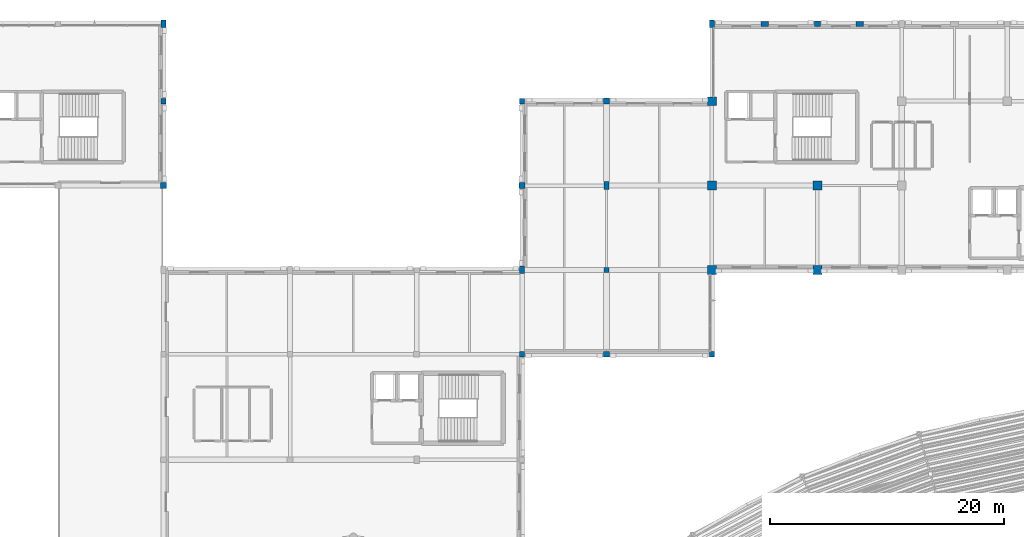
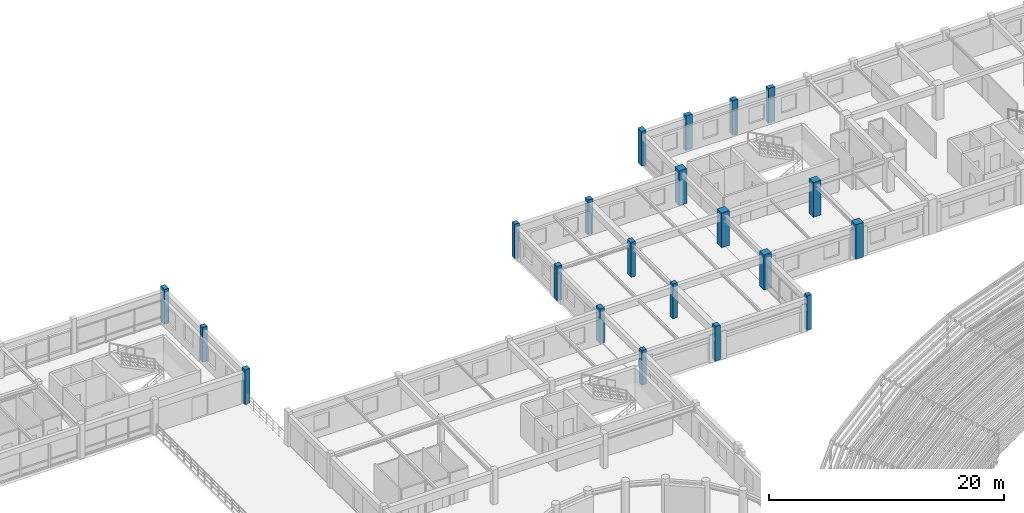
# One storey, part 12 of 74: 21 columns.
"""IFC4 building model written with IfcOpenShell, lengths in metres."""

from ifc_helpers import new_model, si_unit, direction, frame, origin, origin_2d, place, context, subcontext, project, spatial, rectangle, extrude, material, material_profile, profile_set, type_object, element, save


model = new_model("IFC4")

# Units and contexts
model_context = context("Model", 3, precision=1e-05, world=origin(), true_north=direction((0.0, 1.0)))
body_context = subcontext(model_context, "Body", "Model", "MODEL_VIEW")
ifc_project = project(units=[si_unit("LENGTHUNIT", "METRE"), si_unit("AREAUNIT", "SQUARE_METRE"), si_unit("VOLUMEUNIT", "CUBIC_METRE"), si_unit("PLANEANGLEUNIT", "RADIAN"), si_unit("MASSUNIT", "GRAM", prefix="KILO")], contexts=[model_context])

# Site, building, storey
site_placement = place(None, origin())
site = spatial("IfcSite", under=ifc_project, at=site_placement, CompositionType="ELEMENT")
building_placement = place(site_placement, origin())
building = spatial("IfcBuilding", under=site, at=building_placement, Name="Clarverna Civic Hall", CompositionType="ELEMENT")
storey_placement = place(building_placement, frame((0.0, 0.0, 13.199951171875)))
storey = spatial("IfcBuildingStorey", under=building, at=storey_placement, Name="L03", CompositionType="ELEMENT", Elevation=13.199951171875)

# Columns
ifc_material_1 = material(Name="Precast concrete C40/50", Category="concrete")
ifc_material_profile_1 = material_profile(ifc_material_1, rectangle(XDim=0.64990234375, YDim=0.419921875, at=origin_2d()), Name="PILASTER 650x420")
ifc_profile_set_1 = profile_set([ifc_material_profile_1], Name="Precast concrete C40/50")
column_type_1 = type_object("IfcColumnType", Name="C-PL1", PredefinedType="PILASTER", material=ifc_profile_set_1)
for number, where, z_axis, x_axis, name in (
    (1, (117.89990234375, 116.0, 0.0), (0.0, 0.0, 1.0), (1.0, 0.0, 0.0), "C-PL1-005"),
    (2, (126.0, 116.0, 0.0), (0.0, 0.0, 1.0), (1.0, 0.0, 0.0), "C-PL1-012"),
):
    element("IfcColumn", number, at=place(storey_placement, frame(where, z_axis=z_axis, x_axis=x_axis)), inside=storey, type_object=column_type_1, Name=name, PredefinedType="PILASTER", context=body_context, shape_type="SweptSolid", body=[
        extrude(rectangle(XDim=0.64990234375, YDim=0.419921875, at=origin_2d()), origin(), (0.0, 0.0, 1.0), 3.60009765625),
    ])
ifc_material_2 = material(Name="Concrete C35/45", Category="concrete")
ifc_material_profile_2 = material_profile(ifc_material_2, rectangle(XDim=0.5, YDim=0.5, at=origin_2d()), Name="RC 500x500")
ifc_profile_set_2 = profile_set([ifc_material_profile_2], Name="Concrete C35/45")
column_type_2 = type_object("IfcColumnType", Name="C-RC12", PredefinedType="COLUMN", material=ifc_profile_set_2)
for number, where, z_axis, x_axis, name in (
    (3, (66.60009765625, 102.199951171875, 0.0), (0.0, 0.0, 1.0), (1.0, 0.0, 0.0), "C-RC12-016"),
    (4, (97.199951171875, 102.199951171875, 0.0), (0.0, 0.0, 1.0), (1.0, 0.0, 0.0), "C-RC12-020"),
    (5, (104.39990234375, 87.800048828125, 0.0), (0.0, 0.0, 1.0), (1.0, 0.0, 0.0), "C-RC12-021"),
    (6, (104.39990234375, 109.39990234375, 0.0), (0.0, 0.0, 1.0), (1.0, 0.0, 0.0), "C-RC12-022"),
    (7, (122.39990234375, 116.0, 0.0), (0.0, 0.0, 1.0), (1.0, 0.0, 0.0), "C-RC12-023"),
):
    element("IfcColumn", number, at=place(storey_placement, frame(where, z_axis=z_axis, x_axis=x_axis)), inside=storey, type_object=column_type_2, Name=name, PredefinedType="COLUMN", context=body_context, shape_type="SweptSolid", body=[
        extrude(rectangle(XDim=0.5, YDim=0.5, at=origin_2d()), origin(), (0.0, 0.0, 1.0), 3.60009765625),
    ])
ifc_material_profile_3 = material_profile(ifc_material_2, rectangle(XDim=0.449951171875, YDim=0.449951171875, at=origin_2d()), Name="RC 450x450")
ifc_profile_set_3 = profile_set([ifc_material_profile_3], Name="Concrete C35/45")
column_type_3 = type_object("IfcColumnType", Name="C-RC13", PredefinedType="COLUMN", material=ifc_profile_set_3)
for number, where, z_axis, x_axis, name in (
    (8, (66.60009765625, 109.39990234375, 0.0), (0.0, 0.0, 1.0), (1.0, 0.0, 0.0), "C-RC13-016"),
    (9, (97.199951171875, 87.800048828125, 0.0), (0.0, 0.0, 1.0), (1.0, 0.0, 0.0), "C-RC13-022"),
    (10, (97.199951171875, 109.39990234375, 0.0), (0.0, 0.0, 1.0), (1.0, 0.0, 0.0), "C-RC13-024"),
    (11, (104.39990234375, 95.0, 0.0), (0.0, 0.0, 1.0), (1.0, 0.0, 0.0), "C-RC13-026"),
    (12, (113.39990234375, 87.800048828125, 0.0), (0.0, 0.0, 1.0), (1.0, 0.0, 0.0), "C-RC13-028"),
):
    element("IfcColumn", number, at=place(storey_placement, frame(where, z_axis=z_axis, x_axis=x_axis)), inside=storey, type_object=column_type_3, Name=name, PredefinedType="COLUMN", context=body_context, shape_type="SweptSolid", body=[
        extrude(rectangle(XDim=0.449951171875, YDim=0.449951171875, at=origin_2d()), origin(), (0.0, 0.0, 1.0), 3.60009765625),
    ])
ifc_material_profile_4 = material_profile(ifc_material_2, rectangle(XDim=0.449951171875, YDim=0.64990234375, at=origin_2d()), Name="RC 450x650")
ifc_profile_set_4 = profile_set([ifc_material_profile_4], Name="Concrete C35/45")
column_type_4 = type_object("IfcColumnType", Name="C-RC18", PredefinedType="COLUMN", material=ifc_profile_set_4)
for number, where, z_axis, x_axis, name in (
    (13, (66.60009765625, 116.0, 0.0), (0.0, 0.0, 1.0), (1.0, 0.0, 0.0), "C-RC18-016"),
    (14, (97.199951171875, 95.0, 0.0), (0.0, 0.0, 1.0), (1.0, 0.0, 0.0), "C-RC18-020"),
    (15, (104.39990234375, 102.199951171875, 0.0), (0.0, 0.0, 1.0), (1.0, 0.0, 0.0), "C-RC18-021"),
    (16, (113.39990234375, 116.0, 0.0), (0.0, 0.0, 1.0), (1.0, 0.0, 0.0), "C-RC18-022"),
):
    element("IfcColumn", number, at=place(storey_placement, frame(where, z_axis=z_axis, x_axis=x_axis)), inside=storey, type_object=column_type_4, Name=name, PredefinedType="COLUMN", context=body_context, shape_type="SweptSolid", body=[
        extrude(rectangle(XDim=0.449951171875, YDim=0.64990234375, at=origin_2d()), origin(), (0.0, 0.0, 1.0), 3.60009765625),
    ])
ifc_material_3 = material(Name="Concrete C40/50", Category="concrete")
ifc_material_profile_5 = material_profile(ifc_material_3, rectangle(XDim=0.75, YDim=0.75, at=origin_2d()), Name="RC 750x750")
ifc_profile_set_5 = profile_set([ifc_material_profile_5], Name="Concrete C40/50")
column_type_5 = type_object("IfcColumnType", Name="C-RC5", PredefinedType="COLUMN", material=ifc_profile_set_5)
for number, where, z_axis, x_axis, name in (
    (17, (113.39990234375, 95.0, 0.0), (0.0, 0.0, 1.0), (1.0, 0.0, 0.0), "C-RC5-053"),
    (18, (113.39990234375, 102.199951171875, 0.0), (0.0, 0.0, 1.0), (1.0, 0.0, 0.0), "C-RC5-054"),
    (19, (113.39990234375, 109.39990234375, 0.0), (0.0, 0.0, 1.0), (1.0, 0.0, 0.0), "C-RC5-055"),
    (20, (122.39990234375, 95.0, 0.0), (0.0, 0.0, 1.0), (1.0, 0.0, 0.0), "C-RC5-058"),
    (21, (122.39990234375, 102.199951171875, 0.0), (0.0, 0.0, 1.0), (1.0, 0.0, 0.0), "C-RC5-059"),
):
    element("IfcColumn", number, at=place(storey_placement, frame(where, z_axis=z_axis, x_axis=x_axis)), inside=storey, type_object=column_type_5, Name=name, PredefinedType="COLUMN", context=body_context, shape_type="SweptSolid", body=[
        extrude(rectangle(XDim=0.75, YDim=0.75, at=origin_2d()), origin(), (0.0, 0.0, 1.0), 3.60009765625),
    ])

save(model, "model.ifc")
